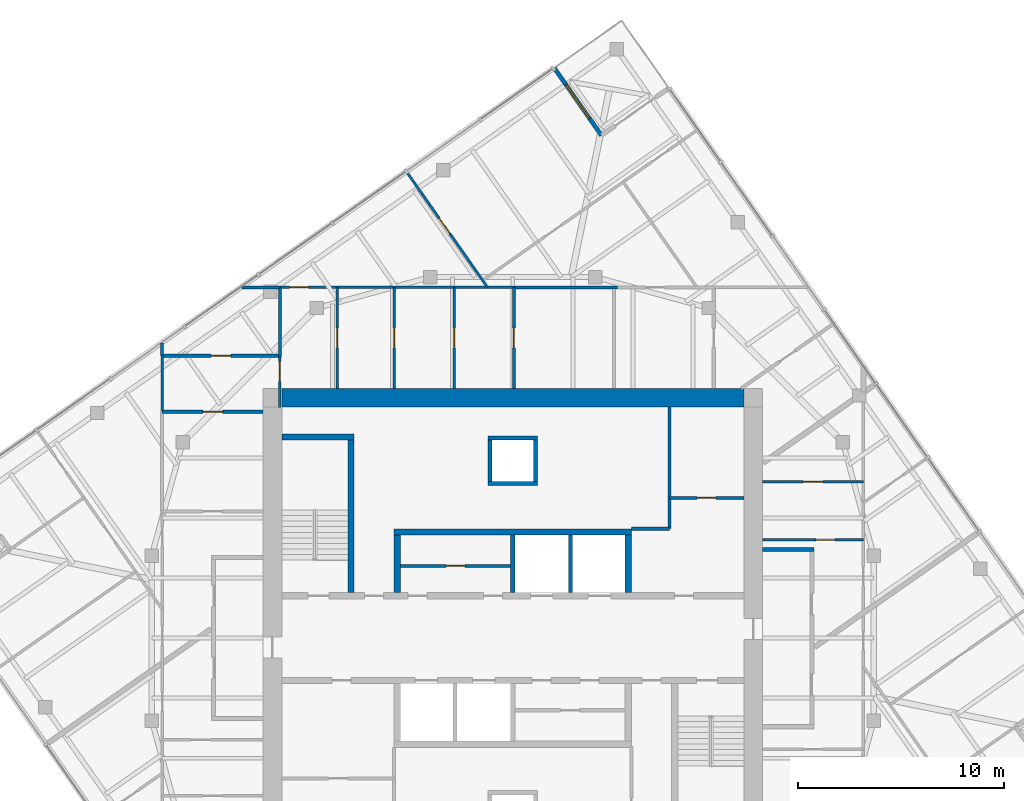
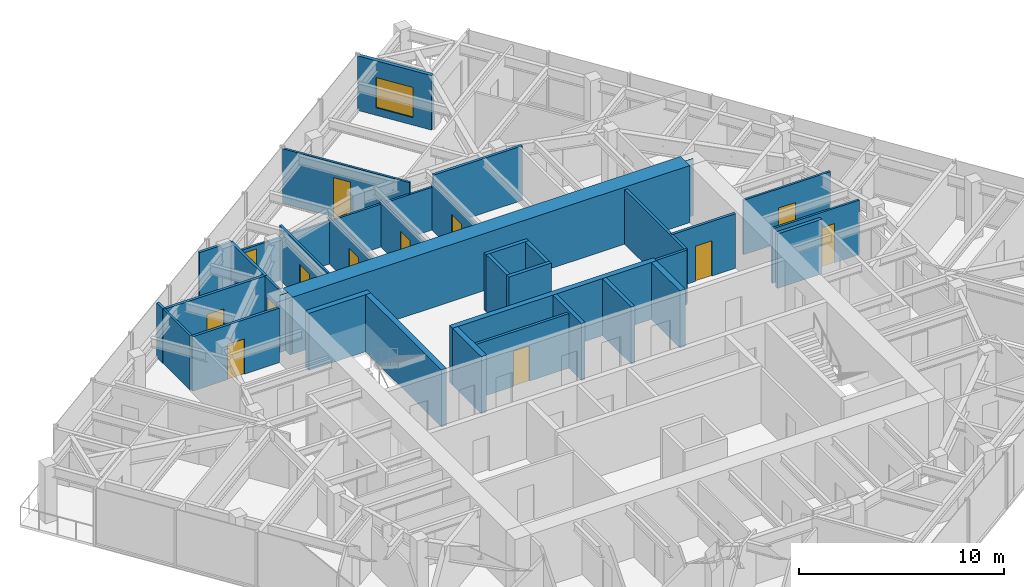
# One storey, part 10 of 12: 34 walls, 13 doors, 1 window, 14 openings.
"""IFC4 building model written with IfcOpenShell, lengths in metres."""

from ifc_helpers import new_model, si_unit, direction, frame, frame_2d, origin, place, context, subcontext, project, spatial, polyline, rectangle, outline, extrude, material, layer, layer_set, type_object, element, fill, save


model = new_model("IFC4")

# Units and contexts
model_context = context("Model", 3, precision=1e-05, world=origin(), true_north=direction((0.0, 1.0)))
body_context = subcontext(model_context, "Body", "Model", "MODEL_VIEW")
ifc_project = project(units=[si_unit("LENGTHUNIT", "METRE"), si_unit("AREAUNIT", "SQUARE_METRE"), si_unit("VOLUMEUNIT", "CUBIC_METRE"), si_unit("PLANEANGLEUNIT", "RADIAN"), si_unit("MASSUNIT", "GRAM", prefix="KILO")], contexts=[model_context])

# Site, building, storey
site_placement = place(None, origin())
site = spatial("IfcSite", under=ifc_project, at=site_placement, CompositionType="ELEMENT")
building_placement = place(site_placement, origin())
building = spatial("IfcBuilding", under=site, at=building_placement, Name="Torsade Residences", CompositionType="ELEMENT")
storey_placement = place(building_placement, frame((0.0, 0.0, 243.800048828125)))
storey = spatial("IfcBuildingStorey", under=building, at=storey_placement, Name="L67", CompositionType="ELEMENT", Elevation=243.800048828125)

# Walls
ifc_material_1 = material(Name="Concrete 80 MPa", Category="concrete")
ifc_layer_1 = layer(ifc_material_1, 0.300048828125)
ifc_layer_set_1 = layer_set([ifc_layer_1], Name="Concrete 80 MPa")
wall_type_1 = type_object("IfcWallType", Name="CORE INTERNAL WALL 300", PredefinedType="SHEAR", material=ifc_layer_set_1)
wall_1_placement = place(storey_placement, frame((34.25, 35.14990234375, 0.0), z_axis=(0.0, 0.0, 1.0), x_axis=(1.0, 0.0, 0.0)))
element("IfcWall", 1, at=wall_1_placement, inside=storey, type_object=wall_type_1, Name="Core wall BN L67", PredefinedType="SHEAR", context=body_context, shape_type="SweptSolid", body=[
    extrude(rectangle(XDim=11.5, YDim=0.300048828125, at=frame_2d((5.75, 0.0))), origin(), (0.0, 0.0, 1.0), 3.39990234375),
])
for number, where, z_axis, x_axis, name in (
    (2, (34.39990234375, 32.199951171875, 0.0), (0.0, 0.0, 1.0), (0.0, 1.0, 0.0), "Core wall DN0 L67"),
    (3, (45.60009765625, 32.199951171875, 0.0), (0.0, 0.0, 1.0), (0.0, 1.0, 0.0), "Core wall DN4 L67"),
):
    element("IfcWall", number, at=place(storey_placement, frame(where, z_axis=z_axis, x_axis=x_axis)), inside=storey, type_object=wall_type_1, Name=name, PredefinedType="SHEAR", context=body_context, shape_type="SweptSolid", body=[
        extrude(rectangle(XDim=2.800048828125, YDim=0.300048828125, at=frame_2d((1.39990234375, 0.0))), origin(), (0.0, 0.0, 1.0), 3.39990234375),
    ])
wall_2_placement = place(storey_placement, frame((32.14990234375, 32.199951171875, 0.0), z_axis=(0.0, 0.0, 1.0), x_axis=(0.0, 1.0, 0.0)))
element("IfcWall", 4, at=wall_2_placement, inside=storey, type_object=wall_type_1, Name="Core wall ST1E L67", PredefinedType="SHEAR", context=body_context, shape_type="SweptSolid", body=[
    extrude(rectangle(XDim=7.699951171875, YDim=0.300048828125, at=frame_2d((3.85009765625, 0.0))), origin(), (0.0, 0.0, 1.0), 3.39990234375),
])
wall_3_placement = place(storey_placement, frame((28.800048828125, 39.75, 0.0), z_axis=(0.0, 0.0, 1.0), x_axis=(1.0, 0.0, 0.0)))
element("IfcWall", 5, at=wall_3_placement, inside=storey, type_object=wall_type_1, Name="Core wall ST1N L67", PredefinedType="SHEAR", context=body_context, shape_type="SweptSolid", body=[
    extrude(rectangle(XDim=3.5, YDim=0.300048828125, at=frame_2d((1.75, 0.0))), origin(), (0.0, 0.0, 1.0), 3.39990234375),
])
ifc_material_2 = material(Name="Concrete 80 MPa", Category="concrete")
ifc_layer_2 = layer(ifc_material_2, 0.89990234375)
ifc_layer_set_2 = layer_set([ifc_layer_2], Name="Concrete 80 MPa")
wall_type_2 = type_object("IfcWallType", Name="CORE WALL 900", PredefinedType="SHEAR", material=ifc_layer_set_2)
wall_4_placement = place(storey_placement, frame((28.800048828125, 41.64990234375, 0.0), z_axis=(0.0, 0.0, 1.0), x_axis=(1.0, 0.0, 0.0)))
element("IfcWall", 6, at=wall_4_placement, inside=storey, type_object=wall_type_2, Name="Core wall N L67", PredefinedType="SHEAR", context=body_context, shape_type="SweptSolid", body=[
    extrude(outline(polyline([(0.0, -0.449951171875), (22.39990234375, -0.449951171875), (22.39990234375, -0.02490234375), (22.849853515625, -0.02490234375), (22.849853515625, 0.02490234375), (22.39990234375, 0.02490234375), (22.39990234375, 0.449951171875), (0.0, 0.449951171875), (0.0, 0.02490234375), (-0.449951171875, 0.02490234375), (-0.449951171875, -0.02490234375), (0.0, -0.02490234375), (0.0, -0.449951171875)])), origin(), (0.0, 0.0, 1.0), 3.39990234375),
])
ifc_material_3 = material(Name="Plasterboard on steel stud", Category="steel")
ifc_layer_3 = layer(ifc_material_3, 0.199951171875)
ifc_layer_set_3 = layer_set([ifc_layer_3], Name="Plasterboard on steel stud")
wall_type_3 = type_object("IfcWallType", Name="CORRIDOR WALL 200", PredefinedType="PARTITIONING", material=ifc_layer_set_3)
wall_5_placement = place(storey_placement, frame((52.10009765625, 34.300048828125, 0.0), z_axis=(0.0, 0.0, 1.0), x_axis=(1.0, 0.0, 0.0)))
element("IfcWall", 7, at=wall_5_placement, inside=storey, type_object=wall_type_3, Name="Corridor wall L67", PredefinedType="PARTITIONING", context=body_context, shape_type="SweptSolid", body=[
    extrude(rectangle(XDim=2.5, YDim=0.199951171875, at=frame_2d((1.25, 0.0))), origin(), (0.0, 0.0, 1.0), 3.25),
])
ifc_material_4 = material(Name="Reinforced blockwork", Category="masonry")
ifc_layer_4 = layer(ifc_material_4, 0.199951171875)
ifc_layer_set_4 = layer_set([ifc_layer_4], Name="Reinforced blockwork")
wall_type_4 = type_object("IfcWallType", Name="LIFT SHAFT DIVIDING WALL 200", PredefinedType="SOLIDWALL", material=ifc_layer_set_4)
for number, where, z_axis, x_axis, name in (
    (8, (40.0, 32.199951171875, 0.0), (0.0, 0.0, 1.0), (0.0, 1.0, 0.0), "Core wall DN2 L67"),
    (9, (42.800048828125, 32.199951171875, 0.0), (0.0, 0.0, 1.0), (0.0, 1.0, 0.0), "Core wall DN3 L67"),
):
    element("IfcWall", number, at=place(storey_placement, frame(where, z_axis=z_axis, x_axis=x_axis)), inside=storey, type_object=wall_type_4, Name=name, PredefinedType="SOLIDWALL", context=body_context, shape_type="SweptSolid", body=[
        extrude(rectangle(XDim=2.800048828125, YDim=0.199951171875, at=frame_2d((1.39990234375, 0.0))), origin(), (0.0, 0.0, 1.0), 3.39990234375),
    ])

# Wall, opening, door
ifc_material_5 = material(Name="Plasterboard on steel stud", Category="steel")
ifc_layer_5 = layer(ifc_material_5, 0.1201171875)
ifc_layer_set_5 = layer_set([ifc_layer_5], Name="Plasterboard on steel stud")
wall_type_5 = type_object("IfcWallType", Name="PARTITION 120", PredefinedType="PARTITIONING", material=ifc_layer_set_5)
wall_6_placement = place(storey_placement, frame((52.10009765625, 34.76611328125, 0.0), z_axis=(0.0, 0.0, 1.0), x_axis=(1.0, 0.0, 0.0)))
wall_6 = element("IfcWall", 10, at=wall_6_placement, inside=storey, type_object=wall_type_5, Name="Partition L67", PredefinedType="PARTITIONING", context=body_context, shape_type="SweptSolid", body=[
    extrude(rectangle(XDim=4.89990234375, YDim=0.1201171875, at=frame_2d((2.449951171875, 0.0))), origin(), (0.0, 0.0, 1.0), 3.25),
])
opening_1_placement = place(wall_6_placement, frame((2.590087890625, 0.0, 0.0)))
opening_1 = element("IfcOpeningElement", 11, at=opening_1_placement, cuts=wall_6, Name="Opening D02", PredefinedType="OPENING", context=body_context, shape_type="SweptSolid", body=[
    extrude(rectangle(XDim=0.919921875, YDim=2.340087890625, at=frame_2d((0.4599609375, 1.169921875))), frame((0.0, 0.070068359375, 0.0), z_axis=(0.0, -1.0, 0.0), x_axis=(1.0, 0.0, 0.0)), (0.0, 0.0, 1.0), 0.14013671875),
])
ifc_material_6 = material(Name="Hollow-core timber door", Category="wood")
door_type_1 = type_object("IfcDoorType", Name="INTERNAL DOOR 920x2340", OperationType="NOTDEFINED", PredefinedType="DOOR", material=ifc_material_6)
door_1_placement = place(opening_1_placement, origin())
door_1 = element("IfcDoor", 12, at=door_1_placement, inside=storey, type_object=door_type_1, Name="Door Kitchen and dining to Dressing room", OperationType="SINGLE_SWING_RIGHT", OverallHeight=2.340087890625, OverallWidth=0.919921875, PredefinedType="DOOR", context=body_context, shape_type="SweptSolid", body=[
    extrude(rectangle(XDim=0.919921875, YDim=2.340087890625, at=frame_2d((0.4599609375, 1.169921875))), frame((0.0, 0.02490234375, 0.0), z_axis=(0.0, -1.0, 0.0), x_axis=(1.0, 0.0, 0.0)), (0.0, 0.0, 1.0), 0.050048828125),
])
fill(opening_1, door_1)

wall_7_placement = place(storey_placement, frame((57.0, 37.567626953125, 0.0), z_axis=(0.0, 0.0, 1.0), x_axis=(-1.0, 0.0, 0.0)))
wall_7 = element("IfcWall", 13, at=wall_7_placement, inside=storey, type_object=wall_type_5, Name="Partition L67", PredefinedType="PARTITIONING", context=body_context, shape_type="SweptSolid", body=[
    extrude(rectangle(XDim=4.89990234375, YDim=0.1201171875, at=frame_2d((2.449951171875, 0.0))), origin(), (0.0, 0.0, 1.0), 3.25),
])
opening_2_placement = place(wall_7_placement, frame((1.969970703125, 0.0, 0.0)))
opening_2 = element("IfcOpeningElement", 14, at=opening_2_placement, cuts=wall_7, Name="Opening D05", PredefinedType="OPENING", context=body_context, shape_type="SweptSolid", body=[
    extrude(rectangle(XDim=0.9599609375, YDim=2.10009765625, at=frame_2d((0.47998046875, 1.050048828125))), frame((0.0, 0.070068359375, 0.0), z_axis=(0.0, -1.0, 0.0), x_axis=(1.0, 0.0, 0.0)), (0.0, 0.0, 1.0), 0.14013671875),
])
ifc_material_7 = material(Name="Hollow-core timber door in a steel cavity frame", Category="steel")
door_type_2 = type_object("IfcDoorType", Name="BATHROOM CAVITY SLIDING DOOR 960", OperationType="SLIDING_TO_LEFT", PredefinedType="DOOR", material=ifc_material_7)
door_2_placement = place(opening_2_placement, origin())
door_2 = element("IfcDoor", 15, at=door_2_placement, inside=storey, type_object=door_type_2, Name="Door Dressing room to Bathroom", OperationType="SLIDING_TO_LEFT", OverallHeight=2.10009765625, OverallWidth=0.9599609375, PredefinedType="DOOR", context=body_context, shape_type="SweptSolid", body=[
    extrude(rectangle(XDim=0.9599609375, YDim=2.10009765625, at=frame_2d((0.47998046875, 1.050048828125))), frame((0.0, 0.02490234375, 0.0), z_axis=(0.0, -1.0, 0.0), x_axis=(1.0, 0.0, 0.0)), (0.0, 0.0, 1.0), 0.050048828125),
])
fill(opening_2, door_2)

wall_8_placement = place(storey_placement, frame((31.482177734375, 42.10009765625, 0.0), z_axis=(0.0, 0.0, 1.0), x_axis=(0.0, 1.0, 0.0)))
wall_8 = element("IfcWall", 16, at=wall_8_placement, inside=storey, type_object=wall_type_5, Name="Partition L67", PredefinedType="PARTITIONING", context=body_context, shape_type="SweptSolid", body=[
    extrude(rectangle(XDim=4.89990234375, YDim=0.1201171875, at=frame_2d((2.449951171875, 0.0))), origin(), (0.0, 0.0, 1.0), 3.25),
])
opening_3_placement = place(wall_8_placement, frame((1.969970703125, 0.0, 0.0)))
opening_3 = element("IfcOpeningElement", 17, at=opening_3_placement, cuts=wall_8, Name="Opening D05", PredefinedType="OPENING", context=body_context, shape_type="SweptSolid", body=[
    extrude(rectangle(XDim=0.9599609375, YDim=2.10009765625, at=frame_2d((0.47998046875, 1.050048828125))), frame((0.0, 0.070068359375, 0.0), z_axis=(0.0, -1.0, 0.0), x_axis=(1.0, 0.0, 0.0)), (0.0, 0.0, 1.0), 0.14013671875),
])
door_3_placement = place(opening_3_placement, origin())
door_3 = element("IfcDoor", 18, at=door_3_placement, inside=storey, type_object=door_type_2, Name="Door Dressing room to Bathroom", OperationType="SLIDING_TO_LEFT", OverallHeight=2.10009765625, OverallWidth=0.9599609375, PredefinedType="DOOR", context=body_context, shape_type="SweptSolid", body=[
    extrude(rectangle(XDim=0.9599609375, YDim=2.10009765625, at=frame_2d((0.47998046875, 1.050048828125))), frame((0.0, 0.02490234375, 0.0), z_axis=(0.0, -1.0, 0.0), x_axis=(1.0, 0.0, 0.0)), (0.0, 0.0, 1.0), 0.050048828125),
])
fill(opening_3, door_3)

wall_9_placement = place(storey_placement, frame((34.256103515625, 47.0, 0.0), z_axis=(0.0, 0.0, 1.0), x_axis=(0.0, -1.0, 0.0)))
wall_9 = element("IfcWall", 19, at=wall_9_placement, inside=storey, type_object=wall_type_5, Name="Partition L67", PredefinedType="PARTITIONING", context=body_context, shape_type="SweptSolid", body=[
    extrude(rectangle(XDim=4.89990234375, YDim=0.1201171875, at=frame_2d((2.449951171875, 0.0))), origin(), (0.0, 0.0, 1.0), 2.7958984375),
])
opening_4_placement = place(wall_9_placement, frame((1.969970703125, 0.0, 0.0)))
opening_4 = element("IfcOpeningElement", 20, at=opening_4_placement, cuts=wall_9, Name="Opening D05", PredefinedType="OPENING", context=body_context, shape_type="SweptSolid", body=[
    extrude(rectangle(XDim=0.9599609375, YDim=2.10009765625, at=frame_2d((0.47998046875, 1.050048828125))), frame((0.0, 0.070068359375, 0.0), z_axis=(0.0, -1.0, 0.0), x_axis=(1.0, 0.0, 0.0)), (0.0, 0.0, 1.0), 0.14013671875),
])
door_4_placement = place(opening_4_placement, origin())
door_4 = element("IfcDoor", 21, at=door_4_placement, inside=storey, type_object=door_type_2, Name="Door Bathroom to Dressing room 2", OperationType="SLIDING_TO_LEFT", OverallHeight=2.10009765625, OverallWidth=0.9599609375, PredefinedType="DOOR", context=body_context, shape_type="SweptSolid", body=[
    extrude(rectangle(XDim=0.9599609375, YDim=2.10009765625, at=frame_2d((0.47998046875, 1.050048828125))), frame((0.0, 0.02490234375, 0.0), z_axis=(0.0, -1.0, 0.0), x_axis=(1.0, 0.0, 0.0)), (0.0, 0.0, 1.0), 0.050048828125),
])
fill(opening_4, door_4)

wall_10_placement = place(storey_placement, frame((28.708251953125, 47.0, 0.0), z_axis=(0.0, 0.0, 1.0), x_axis=(1.0, 0.0, 0.0)))
wall_10 = element("IfcWall", 22, at=wall_10_placement, inside=storey, type_object=wall_type_5, Name="Partition L67", PredefinedType="PARTITIONING", context=body_context, shape_type="SweptSolid", body=[
    extrude(rectangle(XDim=11.345947265625, YDim=0.1201171875, at=frame_2d((5.6728515625, 0.0))), origin(), (0.0, 0.0, 1.0), 2.550048828125),
])
opening_5_placement = place(wall_10_placement, frame((0.47705078125, 0.0, 0.0)))
opening_5 = element("IfcOpeningElement", 23, at=opening_5_placement, cuts=wall_10, Name="Opening D02", PredefinedType="OPENING", context=body_context, shape_type="SweptSolid", body=[
    extrude(rectangle(XDim=0.919921875, YDim=2.340087890625, at=frame_2d((0.4599609375, 1.169921875))), frame((0.0, 0.070068359375, 0.0), z_axis=(0.0, -1.0, 0.0), x_axis=(1.0, 0.0, 0.0)), (0.0, 0.0, 1.0), 0.14013671875),
])
door_5_placement = place(opening_5_placement, origin())
door_5 = element("IfcDoor", 24, at=door_5_placement, inside=storey, type_object=door_type_1, Name="Door Dressing room to Study 2", OperationType="SINGLE_SWING_LEFT", OverallHeight=2.340087890625, OverallWidth=0.919921875, PredefinedType="DOOR", context=body_context, shape_type="SweptSolid", body=[
    extrude(rectangle(XDim=0.919921875, YDim=2.340087890625, at=frame_2d((0.4599609375, 1.169921875))), frame((0.0, 0.02490234375, 0.0), z_axis=(0.0, -1.0, 0.0), x_axis=(1.0, 0.0, 0.0)), (0.0, 0.0, 1.0), 0.050048828125),
])
fill(opening_5, door_5)

wall_11_placement = place(storey_placement, frame((28.708251953125, 41.179931640625, 0.0), z_axis=(0.0, 0.0, 1.0), x_axis=(0.0, 1.0, 0.0)))
wall_11 = element("IfcWall", 25, at=wall_11_placement, inside=storey, type_object=wall_type_5, Name="Partition L67", PredefinedType="PARTITIONING", context=body_context, shape_type="SweptSolid", body=[
    extrude(rectangle(XDim=2.45849609375, YDim=0.1201171875, at=frame_2d((1.229248046875, 0.0))), origin(), (0.0, 0.0, 1.0), 3.25),
])
opening_6_placement = place(wall_11_placement, frame((1.25927734375, 0.0, 0.0)))
opening_6 = element("IfcOpeningElement", 26, at=opening_6_placement, cuts=wall_11, Name="Opening D05", PredefinedType="OPENING", context=body_context, shape_type="SweptSolid", body=[
    extrude(rectangle(XDim=0.9599609375, YDim=2.10009765625, at=frame_2d((0.47998046875, 1.050048828125))), frame((0.0, 0.070068359375, 0.0), z_axis=(0.0, -1.0, 0.0), x_axis=(1.0, 0.0, 0.0)), (0.0, 0.0, 1.0), 0.14013671875),
])
door_6_placement = place(opening_6_placement, origin())
door_6 = element("IfcDoor", 27, at=door_6_placement, inside=storey, type_object=door_type_2, Name="Door WC to Dressing room", OperationType="SLIDING_TO_LEFT", OverallHeight=2.10009765625, OverallWidth=0.9599609375, PredefinedType="DOOR", context=body_context, shape_type="SweptSolid", body=[
    extrude(rectangle(XDim=0.9599609375, YDim=2.10009765625, at=frame_2d((0.47998046875, 1.050048828125))), frame((0.0, 0.02490234375, 0.0), z_axis=(0.0, -1.0, 0.0), x_axis=(1.0, 0.0, 0.0)), (0.0, 0.0, 1.0), 0.050048828125),
])
fill(opening_6, door_6)

# Wall
wall_12_placement = place(storey_placement, frame((23.0, 41.02392578125, 0.0), z_axis=(0.0, 0.0, 1.0), x_axis=(0.0, 1.0, 0.0)))
element("IfcWall", 28, at=wall_12_placement, inside=storey, type_object=wall_type_5, Name="Partition L67", PredefinedType="PARTITIONING", context=body_context, shape_type="SweptSolid", body=[
    extrude(rectangle(XDim=2.66455078125, YDim=0.1201171875, at=frame_2d((1.332275390625, 0.0))), origin(), (0.0, 0.0, 1.0), 3.25),
])

# Wall, opening, door
wall_13_placement = place(storey_placement, frame((37.155029296875, 42.10009765625, 0.0), z_axis=(0.0, 0.0, 1.0), x_axis=(0.0, 1.0, 0.0)))
wall_13 = element("IfcWall", 29, at=wall_13_placement, inside=storey, type_object=wall_type_5, Name="Partition L67", PredefinedType="PARTITIONING", context=body_context, shape_type="SweptSolid", body=[
    extrude(rectangle(XDim=4.89990234375, YDim=0.1201171875, at=frame_2d((2.449951171875, 0.0))), origin(), (0.0, 0.0, 1.0), 2.7958984375),
])
opening_7_placement = place(wall_13_placement, frame((1.969970703125, 0.0, 0.0)))
opening_7 = element("IfcOpeningElement", 30, at=opening_7_placement, cuts=wall_13, Name="Opening D05", PredefinedType="OPENING", context=body_context, shape_type="SweptSolid", body=[
    extrude(rectangle(XDim=0.9599609375, YDim=2.10009765625, at=frame_2d((0.47998046875, 1.050048828125))), frame((0.0, 0.070068359375, 0.0), z_axis=(0.0, -1.0, 0.0), x_axis=(1.0, 0.0, 0.0)), (0.0, 0.0, 1.0), 0.14013671875),
])
door_7_placement = place(opening_7_placement, origin())
door_7 = element("IfcDoor", 31, at=door_7_placement, inside=storey, type_object=door_type_2, Name="Door Dressing room 2 to Ensuite", OperationType="SLIDING_TO_LEFT", OverallHeight=2.10009765625, OverallWidth=0.9599609375, PredefinedType="DOOR", context=body_context, shape_type="SweptSolid", body=[
    extrude(rectangle(XDim=0.9599609375, YDim=2.10009765625, at=frame_2d((0.47998046875, 1.050048828125))), frame((0.0, 0.02490234375, 0.0), z_axis=(0.0, -1.0, 0.0), x_axis=(1.0, 0.0, 0.0)), (0.0, 0.0, 1.0), 0.050048828125),
])
fill(opening_7, door_7)

wall_14_placement = place(storey_placement, frame((38.7783203125, 47.0, 0.0), z_axis=(0.0, 0.0, 1.0), x_axis=(-0.57357503053, 0.819153028653, 0.0)))
wall_14 = element("IfcWall", 32, at=wall_14_placement, inside=storey, type_object=wall_type_5, Name="Partition L67", PredefinedType="PARTITIONING", context=body_context, shape_type="SweptSolid", body=[
    extrude(rectangle(XDim=6.833740234375, YDim=0.1201171875, at=frame_2d((3.4169921875, 0.0))), origin(), (0.0, 0.0, 1.0), 3.25),
])
opening_8_placement = place(wall_14_placement, frame((3.186279296875, 0.0, 0.0)))
opening_8 = element("IfcOpeningElement", 33, at=opening_8_placement, cuts=wall_14, Name="Opening D02", PredefinedType="OPENING", context=body_context, shape_type="SweptSolid", body=[
    extrude(rectangle(XDim=0.919921875, YDim=2.340087890625, at=frame_2d((0.4599609375, 1.169921875))), frame((0.0, 0.070068359375, 0.0), z_axis=(0.0, -1.0, 0.0), x_axis=(1.0, 0.0, 0.0)), (0.0, 0.0, 1.0), 0.14013671875),
])
door_8_placement = place(opening_8_placement, origin())
door_8 = element("IfcDoor", 34, at=door_8_placement, inside=storey, type_object=door_type_1, Name="Door Study 2 to Living room", OperationType="SINGLE_SWING_LEFT", OverallHeight=2.340087890625, OverallWidth=0.919921875, PredefinedType="DOOR", context=body_context, shape_type="SweptSolid", body=[
    extrude(rectangle(XDim=0.919921875, YDim=2.340087890625, at=frame_2d((0.4599609375, 1.169921875))), frame((0.0, 0.02490234375, 0.0), z_axis=(0.0, -1.0, 0.0), x_axis=(1.0, 0.0, 0.0)), (0.0, 0.0, 1.0), 0.050048828125),
])
fill(opening_8, door_8)

# Walls
ifc_material_8 = material(Name="Reinforced blockwork", Category="masonry")
ifc_layer_6 = layer(ifc_material_8, 0.199951171875)
ifc_layer_set_6 = layer_set([ifc_layer_6], Name="Reinforced blockwork")
wall_type_6 = type_object("IfcWallType", Name="RISER SHAFT WALL 200", PredefinedType="SOLIDWALL", material=ifc_layer_set_6)
for number, where, z_axis, x_axis, name in (
    (35, (38.89990234375, 37.60009765625, 0.0), (0.0, 0.0, 1.0), (0.0, 1.0, 0.0), "Core wall RS1a L67"),
    (36, (41.10009765625, 37.60009765625, 0.0), (0.0, 0.0, 1.0), (0.0, 1.0, 0.0), "Core wall RS1b L67"),
):
    element("IfcWall", number, at=place(storey_placement, frame(where, z_axis=z_axis, x_axis=x_axis)), inside=storey, type_object=wall_type_6, Name=name, PredefinedType="SOLIDWALL", context=body_context, shape_type="SweptSolid", body=[
        extrude(rectangle(XDim=2.0, YDim=0.199951171875, at=frame_2d((1.0, 0.0))), origin(), (0.0, 0.0, 1.0), 3.39990234375),
    ])
for number, where, z_axis, x_axis, name in (
    (37, (38.800048828125, 37.5, 0.0), (0.0, 0.0, 1.0), (1.0, 0.0, 0.0), "Core wall RS1c L67"),
    (38, (38.800048828125, 39.699951171875, 0.0), (0.0, 0.0, 1.0), (1.0, 0.0, 0.0), "Core wall RS1d L67"),
):
    element("IfcWall", number, at=place(storey_placement, frame(where, z_axis=z_axis, x_axis=x_axis)), inside=storey, type_object=wall_type_6, Name=name, PredefinedType="SOLIDWALL", context=body_context, shape_type="SweptSolid", body=[
        extrude(rectangle(XDim=2.39990234375, YDim=0.199951171875, at=frame_2d((1.199951171875, 0.0))), origin(), (0.0, 0.0, 1.0), 3.39990234375),
    ])
ifc_material_9 = material(Name="Reinforced blockwork", Category="masonry")
ifc_layer_7 = layer(ifc_material_9, 0.14990234375)
ifc_layer_set_7 = layer_set([ifc_layer_7], Name="Reinforced blockwork")
wall_type_7 = type_object("IfcWallType", Name="SERVICE ROOM WALL 150", PredefinedType="SOLIDWALL", material=ifc_layer_set_7)
wall_15_placement = place(storey_placement, frame((47.60009765625, 41.199951171875, 0.0), z_axis=(0.0, 0.0, 1.0), x_axis=(0.0, -1.0, 0.0)))
element("IfcWall", 39, at=wall_15_placement, inside=storey, type_object=wall_type_7, Name="Service room wall L67", PredefinedType="SOLIDWALL", context=body_context, shape_type="SweptSolid", body=[
    extrude(rectangle(XDim=5.89990234375, YDim=0.14990234375, at=frame_2d((2.949951171875, 0.0))), origin(), (0.0, 0.0, 1.0), 3.25),
])
wall_16_placement = place(storey_placement, frame((47.60009765625, 35.300048828125, 0.0), z_axis=(0.0, 0.0, 1.0), x_axis=(-1.0, 0.0, 0.0)))
element("IfcWall", 40, at=wall_16_placement, inside=storey, type_object=wall_type_7, Name="Service room wall L67", PredefinedType="SOLIDWALL", context=body_context, shape_type="SweptSolid", body=[
    extrude(rectangle(XDim=1.85009765625, YDim=0.14990234375, at=frame_2d((0.925048828125, 0.0))), origin(), (0.0, 0.0, 1.0), 3.25),
])

# Wall, opening, door
wall_17_placement = place(storey_placement, frame((47.60009765625, 36.800048828125, 0.0), z_axis=(0.0, 0.0, 1.0), x_axis=(1.0, 0.0, 0.0)))
wall_17 = element("IfcWall", 41, at=wall_17_placement, inside=storey, type_object=wall_type_7, Name="Service room wall L67", PredefinedType="SOLIDWALL", context=body_context, shape_type="SweptSolid", body=[
    extrude(rectangle(XDim=3.599853515625, YDim=0.14990234375, at=frame_2d((1.7998046875, 0.0))), origin(), (0.0, 0.0, 1.0), 3.25),
])
opening_9_placement = place(wall_17_placement, frame((1.340087890625, 0.0, 0.0)))
opening_9 = element("IfcOpeningElement", 42, at=opening_9_placement, cuts=wall_17, Name="Opening D06", PredefinedType="OPENING", context=body_context, shape_type="SweptSolid", body=[
    extrude(rectangle(XDim=0.919921875, YDim=2.10009765625, at=frame_2d((0.4599609375, 1.050048828125))), frame((0.0, 0.0849609375, 0.0), z_axis=(0.0, -1.0, 0.0), x_axis=(1.0, 0.0, 0.0)), (0.0, 0.0, 1.0), 0.169921875),
])
ifc_material_10 = material(Name="Steel-framed fire door", Category="steel")
door_type_3 = type_object("IfcDoorType", Name="FIRE DOOR 920", OperationType="NOTDEFINED", PredefinedType="DOOR", material=ifc_material_10)
door_9_placement = place(opening_9_placement, origin())
door_9 = element("IfcDoor", 43, at=door_9_placement, inside=storey, type_object=door_type_3, Name="Door Refuse room to Recycling room", OperationType="SINGLE_SWING_LEFT", OverallHeight=2.10009765625, OverallWidth=0.919921875, PredefinedType="DOOR", context=body_context, shape_type="SweptSolid", body=[
    extrude(rectangle(XDim=0.919921875, YDim=2.10009765625, at=frame_2d((0.4599609375, 1.050048828125))), frame((0.0, 0.02490234375, 0.0), z_axis=(0.0, -1.0, 0.0), x_axis=(1.0, 0.0, 0.0)), (0.0, 0.0, 1.0), 0.050048828125),
])
fill(opening_9, door_9)

# Wall
wall_18_placement = place(storey_placement, frame((28.708251953125, 43.638427734375, 0.0), z_axis=(0.0, 0.0, 1.0), x_axis=(0.0, 1.0, 0.0)))
element("IfcWall", 44, at=wall_18_placement, inside=storey, type_object=wall_type_7, Name="Service room wall L67", PredefinedType="SOLIDWALL", context=body_context, shape_type="SweptSolid", body=[
    extrude(rectangle(XDim=3.361572265625, YDim=0.14990234375, at=frame_2d((1.6806640625, 0.0))), origin(), (0.0, 0.0, 1.0), 3.25),
])

# Wall, opening, door
wall_19_placement = place(storey_placement, frame((23.0, 43.6884765625, 0.0), z_axis=(0.0, 0.0, 1.0), x_axis=(1.0, 0.0, 0.0)))
wall_19 = element("IfcWall", 45, at=wall_19_placement, inside=storey, type_object=wall_type_7, Name="Service room wall L67", PredefinedType="SOLIDWALL", context=body_context, shape_type="SweptSolid", body=[
    extrude(rectangle(XDim=5.708251953125, YDim=0.14990234375, at=frame_2d((2.85400390625, 0.0))), origin(), (0.0, 0.0, 1.0), 3.25),
])
opening_10_placement = place(wall_19_placement, frame((2.3740234375, 0.0, 0.0)))
opening_10 = element("IfcOpeningElement", 46, at=opening_10_placement, cuts=wall_19, Name="Opening D05", PredefinedType="OPENING", context=body_context, shape_type="SweptSolid", body=[
    extrude(rectangle(XDim=0.9599609375, YDim=2.10009765625, at=frame_2d((0.47998046875, 1.050048828125))), frame((0.0, 0.0849609375, 0.0), z_axis=(0.0, -1.0, 0.0), x_axis=(1.0, 0.0, 0.0)), (0.0, 0.0, 1.0), 0.169921875),
])
door_10_placement = place(opening_10_placement, origin())
door_10 = element("IfcDoor", 47, at=door_10_placement, inside=storey, type_object=door_type_2, Name="Door WC to Linen store", OperationType="SLIDING_TO_LEFT", OverallHeight=2.10009765625, OverallWidth=0.9599609375, PredefinedType="DOOR", context=body_context, shape_type="SweptSolid", body=[
    extrude(rectangle(XDim=0.9599609375, YDim=2.10009765625, at=frame_2d((0.47998046875, 1.050048828125))), frame((0.0, 0.02490234375, 0.0), z_axis=(0.0, -1.0, 0.0), x_axis=(1.0, 0.0, 0.0)), (0.0, 0.0, 1.0), 0.050048828125),
])
fill(opening_10, door_10)

wall_20_placement = place(storey_placement, frame((27.89990234375, 40.97412109375, 0.0), z_axis=(0.0, 0.0, 1.0), x_axis=(-1.0, 0.0, 0.0)))
wall_20 = element("IfcWall", 48, at=wall_20_placement, inside=storey, type_object=wall_type_7, Name="Service room wall L67", PredefinedType="SOLIDWALL", context=body_context, shape_type="SweptSolid", body=[
    extrude(rectangle(XDim=4.89990234375, YDim=0.14990234375, at=frame_2d((2.449951171875, 0.0))), origin(), (0.0, 0.0, 1.0), 3.25),
])
opening_11_placement = place(wall_20_placement, frame((1.969970703125, 0.0, 0.0)))
opening_11 = element("IfcOpeningElement", 49, at=opening_11_placement, cuts=wall_20, Name="Opening D05", PredefinedType="OPENING", context=body_context, shape_type="SweptSolid", body=[
    extrude(rectangle(XDim=0.9599609375, YDim=2.10009765625, at=frame_2d((0.47998046875, 1.050048828125))), frame((0.0, 0.0849609375, 0.0), z_axis=(0.0, -1.0, 0.0), x_axis=(1.0, 0.0, 0.0)), (0.0, 0.0, 1.0), 0.169921875),
])
door_11_placement = place(opening_11_placement, origin())
door_11 = element("IfcDoor", 50, at=door_11_placement, inside=storey, type_object=door_type_2, Name="Door Linen store 4 to WC", OperationType="SLIDING_TO_LEFT", OverallHeight=2.10009765625, OverallWidth=0.9599609375, PredefinedType="DOOR", context=body_context, shape_type="SweptSolid", body=[
    extrude(rectangle(XDim=0.9599609375, YDim=2.10009765625, at=frame_2d((0.47998046875, 1.050048828125))), frame((0.0, 0.02490234375, 0.0), z_axis=(0.0, -1.0, 0.0), x_axis=(1.0, 0.0, 0.0)), (0.0, 0.0, 1.0), 0.050048828125),
])
fill(opening_11, door_11)

# Walls
wall_21_placement = place(storey_placement, frame((23.0, 43.6884765625, 0.0), z_axis=(0.0, 0.0, 1.0), x_axis=(0.0, 1.0, 0.0)))
element("IfcWall", 51, at=wall_21_placement, inside=storey, type_object=wall_type_7, Name="Service room wall L67", PredefinedType="SOLIDWALL", context=body_context, shape_type="SweptSolid", body=[
    extrude(rectangle(XDim=0.605712890625, YDim=0.14990234375, at=frame_2d((0.302734375, 0.0))), origin(), (0.0, 0.0, 1.0), 3.25),
])
wall_22_placement = place(storey_placement, frame((26.8642578125, 47.0, 0.0), z_axis=(0.0, 0.0, 1.0), x_axis=(1.0, 0.0, 0.0)))
element("IfcWall", 52, at=wall_22_placement, inside=storey, type_object=wall_type_7, Name="Service room wall L67", PredefinedType="SOLIDWALL", context=body_context, shape_type="SweptSolid", body=[
    extrude(rectangle(XDim=1.843994140625, YDim=0.14990234375, at=frame_2d((0.921875, 0.0))), origin(), (0.0, 0.0, 1.0), 3.25),
])

# Wall, opening, door
wall_23_placement = place(storey_placement, frame((40.05419921875, 47.0, 0.0), z_axis=(0.0, 0.0, 1.0), x_axis=(0.0, -1.0, 0.0)))
wall_23 = element("IfcWall", 53, at=wall_23_placement, inside=storey, type_object=wall_type_7, Name="Service room wall L67", PredefinedType="SOLIDWALL", context=body_context, shape_type="SweptSolid", body=[
    extrude(rectangle(XDim=4.89990234375, YDim=0.14990234375, at=frame_2d((2.449951171875, 0.0))), origin(), (0.0, 0.0, 1.0), 2.7958984375),
])
opening_12_placement = place(wall_23_placement, frame((1.969970703125, 0.0, 0.0)))
opening_12 = element("IfcOpeningElement", 54, at=opening_12_placement, cuts=wall_23, Name="Opening D05", PredefinedType="OPENING", context=body_context, shape_type="SweptSolid", body=[
    extrude(rectangle(XDim=0.9599609375, YDim=2.10009765625, at=frame_2d((0.47998046875, 1.050048828125))), frame((0.0, 0.0849609375, 0.0), z_axis=(0.0, -1.0, 0.0), x_axis=(1.0, 0.0, 0.0)), (0.0, 0.0, 1.0), 0.169921875),
])
door_12_placement = place(opening_12_placement, origin())
door_12 = element("IfcDoor", 55, at=door_12_placement, inside=storey, type_object=door_type_2, Name="Door Ensuite to Linen store 2", OperationType="SLIDING_TO_LEFT", OverallHeight=2.10009765625, OverallWidth=0.9599609375, PredefinedType="DOOR", context=body_context, shape_type="SweptSolid", body=[
    extrude(rectangle(XDim=0.9599609375, YDim=2.10009765625, at=frame_2d((0.47998046875, 1.050048828125))), frame((0.0, 0.02490234375, 0.0), z_axis=(0.0, -1.0, 0.0), x_axis=(1.0, 0.0, 0.0)), (0.0, 0.0, 1.0), 0.050048828125),
])
fill(opening_12, door_12)

# Wall
wall_24_placement = place(storey_placement, frame((40.05419921875, 47.0, 0.0), z_axis=(0.0, 0.0, 1.0), x_axis=(1.0, 0.0, 0.0)))
element("IfcWall", 56, at=wall_24_placement, inside=storey, type_object=wall_type_7, Name="Service room wall L67", PredefinedType="SOLIDWALL", context=body_context, shape_type="SweptSolid", body=[
    extrude(rectangle(XDim=5.029052734375, YDim=0.14990234375, at=frame_2d((2.5146484375, 0.0))), origin(), (0.0, 0.0, 1.0), 3.25),
])

# Wall, opening, door
wall_25_placement = place(storey_placement, frame((34.550048828125, 33.5, 0.0), z_axis=(0.0, 0.0, 1.0), x_axis=(1.0, 0.0, 0.0)))
wall_25 = element("IfcWall", 57, at=wall_25_placement, inside=storey, type_object=wall_type_7, Name="Service room wall L67", PredefinedType="SOLIDWALL", context=body_context, shape_type="SweptSolid", body=[
    extrude(rectangle(XDim=5.349853515625, YDim=0.14990234375, at=frame_2d((2.6748046875, 0.0))), origin(), (0.0, 0.0, 1.0), 3.25),
])
opening_13_placement = place(wall_25_placement, frame((2.215087890625, 0.0, 0.0)))
opening_13 = element("IfcOpeningElement", 58, at=opening_13_placement, cuts=wall_25, Name="Opening D06", PredefinedType="OPENING", context=body_context, shape_type="SweptSolid", body=[
    extrude(rectangle(XDim=0.919921875, YDim=2.10009765625, at=frame_2d((0.4599609375, 1.050048828125))), frame((0.0, 0.0849609375, 0.0), z_axis=(0.0, -1.0, 0.0), x_axis=(1.0, 0.0, 0.0)), (0.0, 0.0, 1.0), 0.169921875),
])
door_13_placement = place(opening_13_placement, origin())
door_13 = element("IfcDoor", 59, at=door_13_placement, inside=storey, type_object=door_type_3, Name="Door Residents storage L67A to Records store L67B", OperationType="SINGLE_SWING_RIGHT", OverallHeight=2.10009765625, OverallWidth=0.919921875, PredefinedType="DOOR", context=body_context, shape_type="SweptSolid", body=[
    extrude(rectangle(XDim=0.919921875, YDim=2.10009765625, at=frame_2d((0.4599609375, 1.050048828125))), frame((0.0, 0.02490234375, 0.0), z_axis=(0.0, -1.0, 0.0), x_axis=(1.0, 0.0, 0.0)), (0.0, 0.0, 1.0), 0.050048828125),
])
fill(opening_13, door_13)

# Wall, opening, window
ifc_material_11 = material(Name="Stone-faced precast concrete 40 MPa panel", Category="masonry")
ifc_layer_8 = layer(ifc_material_11, 0.199951171875)
ifc_layer_set_8 = layer_set([ifc_layer_8], Name="Stone-faced precast concrete 40 MPa panel")
wall_type_8 = type_object("IfcWallType", Name="TERRACE WALL 200", PredefinedType="SOLIDWALL", material=ifc_layer_set_8)
wall_26_placement = place(storey_placement, frame((44.297607421875, 54.372802734375, 0.0), z_axis=(0.0, 0.0, 1.0), x_axis=(-0.573597512525, 0.819137286189, 0.0)))
wall_26 = element("IfcWall", 60, at=wall_26_placement, inside=storey, type_object=wall_type_8, Name="Terrace wall L67 6", PredefinedType="SOLIDWALL", context=body_context, shape_type="SweptSolid", body=[
    extrude(rectangle(XDim=4.0, YDim=0.199951171875, at=frame_2d((2.0, 0.0))), origin(), (0.0, 0.0, 1.0), 3.25),
])
opening_14_placement = place(wall_26_placement, frame((1.0, 0.0, 0.449951171875)))
opening_14 = element("IfcOpeningElement", 61, at=opening_14_placement, cuts=wall_26, Name="Opening W1B", PredefinedType="OPENING", context=body_context, shape_type="SweptSolid", body=[
    extrude(rectangle(XDim=2.0, YDim=1.800048828125, at=frame_2d((1.0, 0.89990234375))), frame((0.0, 0.10986328125, 0.0), z_axis=(0.0, -1.0, 0.0), x_axis=(1.0, 0.0, 0.0)), (0.0, 0.0, 1.0), 0.219970703125),
])
ifc_material_12 = material(Name="Aluminium-framed glass window", Category="aluminium")
window_type = type_object("IfcWindowType", Name="TERRACE WINDOW 2000x1800", PartitioningType="SINGLE_PANEL", PredefinedType="WINDOW", material=ifc_material_12)
window_placement = place(opening_14_placement, origin())
window = element("IfcWindow", 62, at=window_placement, inside=storey, type_object=window_type, Name="Terrace window L67 6", OverallHeight=1.800048828125, OverallWidth=2.0, PartitioningType="SINGLE_PANEL", PredefinedType="WINDOW", context=body_context, shape_type="SweptSolid", body=[
    extrude(rectangle(XDim=2.0, YDim=1.800048828125, at=frame_2d((1.0, 0.89990234375))), frame((0.0, 0.030029296875, 0.0), z_axis=(0.0, -1.0, 0.0), x_axis=(1.0, 0.0, 0.0)), (0.0, 0.0, 1.0), 0.06005859375),
])
fill(opening_14, window)

save(model, "model.ifc")
